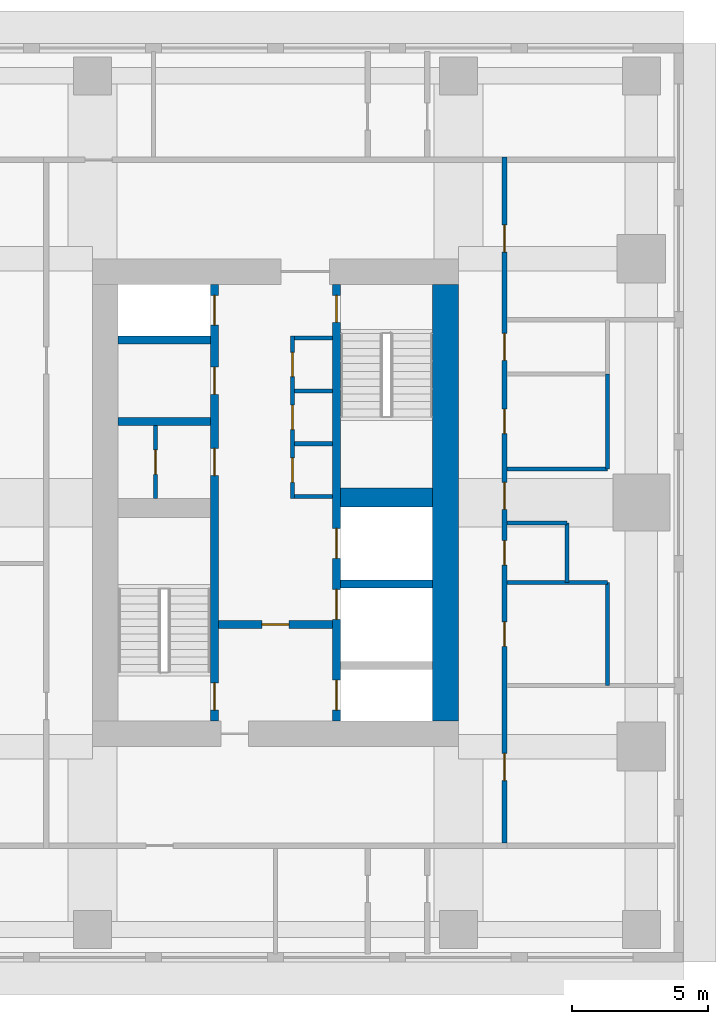
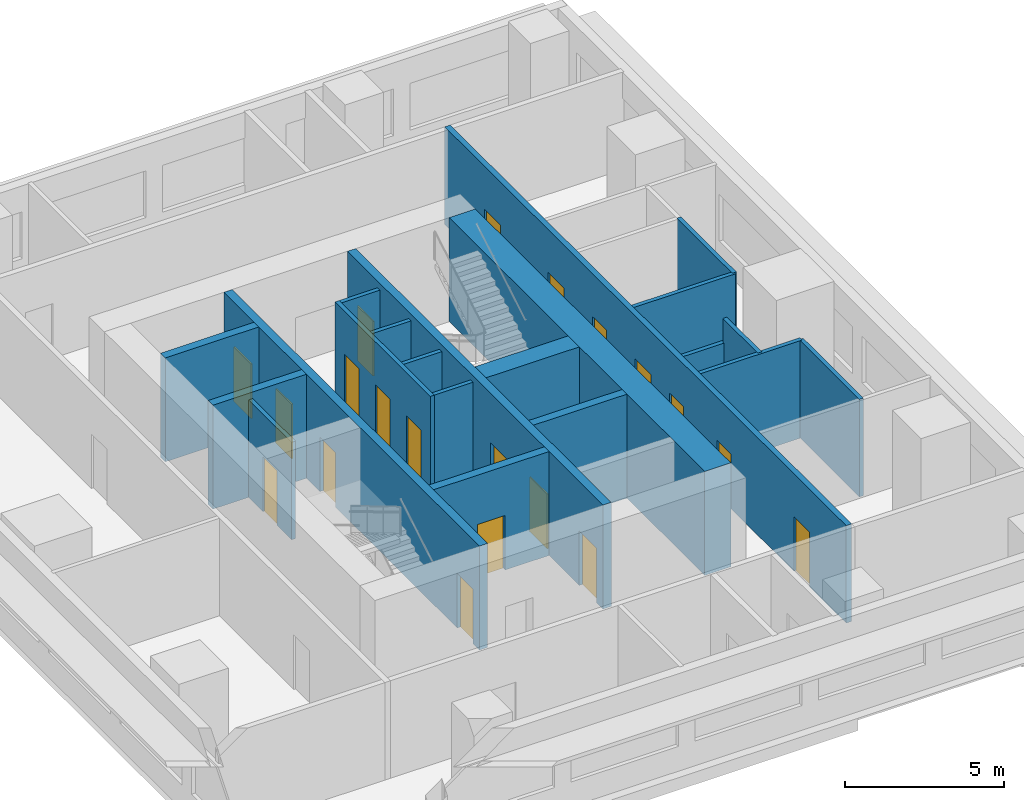
# One storey, part 7 of 11: 21 walls, 20 doors, 20 openings.
"""IFC4 building model written with IfcOpenShell, lengths in metres."""

from ifc_helpers import new_model, si_unit, direction, frame, frame_2d, origin, place, context, subcontext, project, spatial, rectangle, extrude, material, layer, layer_set, type_object, element, fill, save


model = new_model("IFC4")

# Units and contexts
model_context = context("Model", 3, precision=1e-05, world=origin(), true_north=direction((0.0, 1.0)))
body_context = subcontext(model_context, "Body", "Model", "MODEL_VIEW")
ifc_project = project(units=[si_unit("LENGTHUNIT", "METRE"), si_unit("AREAUNIT", "SQUARE_METRE"), si_unit("VOLUMEUNIT", "CUBIC_METRE"), si_unit("PLANEANGLEUNIT", "RADIAN"), si_unit("MASSUNIT", "GRAM", prefix="KILO")], contexts=[model_context])

# Site, building, storey
site_placement = place(None, origin())
site = spatial("IfcSite", under=ifc_project, at=site_placement, CompositionType="ELEMENT")
building_placement = place(site_placement, origin())
building = spatial("IfcBuilding", under=site, at=building_placement, Name="Namib Vertical Campus", CompositionType="ELEMENT")
storey_placement = place(building_placement, frame((0.0, 0.0, 197.0)))
storey = spatial("IfcBuildingStorey", under=building, at=storey_placement, Name="L46", CompositionType="ELEMENT", Elevation=197.0)

# Wall, openings, doors
ifc_material_1 = material(Name="Concrete C60/75", Category="concrete")
ifc_layer_1 = layer(ifc_material_1, 0.300048828125)
ifc_layer_set_1 = layer_set([ifc_layer_1], Name="Concrete C60/75")
wall_type_1 = type_object("IfcWallType", Name="Core inner wall 300", PredefinedType="SHEAR", material=ifc_layer_set_1)
wall_1_placement = place(storey_placement, frame((78.75, 12.199951171875, 0.0), z_axis=(0.0, 0.0, 1.0), x_axis=(0.0, 1.0, 0.0)))
wall_1 = element("IfcWall", 1, at=wall_1_placement, inside=storey, type_object=wall_type_1, Name="Core inner wall B L46 W1", PredefinedType="SHEAR", context=body_context, shape_type="SweptSolid", body=[
    extrude(rectangle(XDim=16.10009765625, YDim=0.300048828125, at=frame_2d((8.050048828125, 0.0))), origin(), (0.0, 0.0, 1.0), 4.0),
])
opening_1_placement = place(wall_1_placement, frame((0.39990234375, 0.0, 0.0)))
opening_1 = element("IfcOpeningElement", 2, at=opening_1_placement, cuts=wall_1, Name="Opening FD1", PredefinedType="OPENING", context=body_context, shape_type="SweptSolid", body=[
    extrude(rectangle(XDim=1.0, YDim=2.10009765625, at=frame_2d((0.5, 1.050048828125))), frame((0.0, 0.159912109375, 0.0), z_axis=(0.0, -1.0, 0.0), x_axis=(1.0, 0.0, 0.0)), (0.0, 0.0, 1.0), 0.320068359375),
])
opening_2_placement = place(wall_1_placement, frame((14.60009765625, 0.0, 0.0)))
opening_2 = element("IfcOpeningElement", 3, at=opening_2_placement, cuts=wall_1, Name="Opening LD1", PredefinedType="OPENING", context=body_context, shape_type="SweptSolid", body=[
    extrude(rectangle(XDim=1.10009765625, YDim=2.10009765625, at=frame_2d((0.550048828125, 1.050048828125))), frame((0.0, 0.159912109375, 0.0), z_axis=(0.0, -1.0, 0.0), x_axis=(1.0, 0.0, 0.0)), (0.0, 0.0, 1.0), 0.320068359375),
])
opening_3_placement = place(wall_1_placement, frame((9.050048828125, 0.0, 0.0)))
opening_3 = element("IfcOpeningElement", 4, at=opening_3_placement, cuts=wall_1, Name="Opening D1", PredefinedType="OPENING", context=body_context, shape_type="SweptSolid", body=[
    extrude(rectangle(XDim=1.0, YDim=2.10009765625, at=frame_2d((0.5, 1.050048828125))), frame((0.0, 0.159912109375, 0.0), z_axis=(0.0, -1.0, 0.0), x_axis=(1.0, 0.0, 0.0)), (0.0, 0.0, 1.0), 0.320068359375),
])
opening_4_placement = place(wall_1_placement, frame((12.050048828125, 0.0, 0.0)))
opening_4 = element("IfcOpeningElement", 5, at=opening_4_placement, cuts=wall_1, Name="Opening D1", PredefinedType="OPENING", context=body_context, shape_type="SweptSolid", body=[
    extrude(rectangle(XDim=1.0, YDim=2.10009765625, at=frame_2d((0.5, 1.050048828125))), frame((0.0, 0.159912109375, 0.0), z_axis=(0.0, -1.0, 0.0), x_axis=(1.0, 0.0, 0.0)), (0.0, 0.0, 1.0), 0.320068359375),
])
ifc_material_2 = material(Name="Timber door leaf", Category="wood")
door_type_1 = type_object("IfcDoorType", Name="Door single 1000x2100", OperationType="SINGLE_SWING_LEFT", PredefinedType="DOOR", material=ifc_material_2)
door_1_placement = place(opening_3_placement, origin())
door_1 = element("IfcDoor", 6, at=door_1_placement, inside=storey, type_object=door_type_1, Name="Door D1 Records store B L46 P1", OperationType="SINGLE_SWING_LEFT", OverallHeight=2.10009765625, OverallWidth=1.0, PredefinedType="DOOR", context=body_context, shape_type="SweptSolid", body=[
    extrude(rectangle(XDim=1.0, YDim=2.10009765625, at=frame_2d((0.5, 1.050048828125))), frame((0.0, 0.02490234375, 0.0), z_axis=(0.0, -1.0, 0.0), x_axis=(1.0, 0.0, 0.0)), (0.0, 0.0, 1.0), 0.050048828125),
])
fill(opening_3, door_1)
door_2_placement = place(opening_4_placement, origin())
door_2 = element("IfcDoor", 7, at=door_2_placement, inside=storey, type_object=door_type_1, Name="Door D1 Staff pantry B L46 P2", OperationType="SINGLE_SWING_LEFT", OverallHeight=2.10009765625, OverallWidth=1.0, PredefinedType="DOOR", context=body_context, shape_type="SweptSolid", body=[
    extrude(rectangle(XDim=1.0, YDim=2.10009765625, at=frame_2d((0.5, 1.050048828125))), frame((0.0, 0.02490234375, 0.0), z_axis=(0.0, -1.0, 0.0), x_axis=(1.0, 0.0, 0.0)), (0.0, 0.0, 1.0), 0.050048828125),
])
fill(opening_4, door_2)
ifc_material_3 = material(Name="Steel fire door", Category="steel")
door_type_2 = type_object("IfcDoorType", Name="Fire door 1000x2100", OperationType="SINGLE_SWING_RIGHT", PredefinedType="DOOR", material=ifc_material_3)
door_3_placement = place(opening_1_placement, origin())
door_3 = element("IfcDoor", 8, at=door_3_placement, inside=storey, type_object=door_type_2, Name="Stair door FD1 B L46 S1", OperationType="SINGLE_SWING_LEFT", OverallHeight=2.10009765625, OverallWidth=1.0, PredefinedType="DOOR", context=body_context, shape_type="SweptSolid", body=[
    extrude(rectangle(XDim=1.0, YDim=2.10009765625, at=frame_2d((0.5, 1.050048828125))), frame((0.0, 0.02490234375, 0.0), z_axis=(0.0, -1.0, 0.0), x_axis=(1.0, 0.0, 0.0)), (0.0, 0.0, 1.0), 0.050048828125),
])
fill(opening_1, door_3)
ifc_material_4 = material(Name="Stainless steel lift door", Category="steel")
door_type_3 = type_object("IfcDoorType", Name="Lift landing door 1100x2100", OperationType="DOUBLE_DOOR_SLIDING", PredefinedType="DOOR", material=ifc_material_4)
door_4_placement = place(opening_2_placement, origin())
door_4 = element("IfcDoor", 9, at=door_4_placement, inside=storey, type_object=door_type_3, Name="Lift landing door LD1 B-P3 L46", OperationType="DOUBLE_DOOR_SLIDING", OverallHeight=2.10009765625, OverallWidth=1.10009765625, PredefinedType="DOOR", context=body_context, shape_type="SweptSolid", body=[
    extrude(rectangle(XDim=1.10009765625, YDim=2.10009765625, at=frame_2d((0.550048828125, 1.050048828125))), frame((0.0, 0.02490234375, 0.0), z_axis=(0.0, -1.0, 0.0), x_axis=(1.0, 0.0, 0.0)), (0.0, 0.0, 1.0), 0.050048828125),
])
fill(opening_2, door_4)

wall_2_placement = place(storey_placement, frame((83.25, 12.199951171875, 0.0), z_axis=(0.0, 0.0, 1.0), x_axis=(0.0, 1.0, 0.0)))
wall_2 = element("IfcWall", 10, at=wall_2_placement, inside=storey, type_object=wall_type_1, Name="Core inner wall B L46 W2", PredefinedType="SHEAR", context=body_context, shape_type="SweptSolid", body=[
    extrude(rectangle(XDim=16.10009765625, YDim=0.300048828125, at=frame_2d((8.050048828125, 0.0))), origin(), (0.0, 0.0, 1.0), 4.0),
])
opening_5_placement = place(wall_2_placement, frame((14.699951171875, 0.0, 0.0)))
opening_5 = element("IfcOpeningElement", 11, at=opening_5_placement, cuts=wall_2, Name="Opening FD1", PredefinedType="OPENING", context=body_context, shape_type="SweptSolid", body=[
    extrude(rectangle(XDim=1.0, YDim=2.10009765625, at=frame_2d((0.5, 1.050048828125))), frame((0.0, 0.159912109375, 0.0), z_axis=(0.0, -1.0, 0.0), x_axis=(1.0, 0.0, 0.0)), (0.0, 0.0, 1.0), 0.320068359375),
])
opening_6_placement = place(wall_2_placement, frame((0.39990234375, 0.0, 0.0)))
opening_6 = element("IfcOpeningElement", 12, at=opening_6_placement, cuts=wall_2, Name="Opening LD1", PredefinedType="OPENING", context=body_context, shape_type="SweptSolid", body=[
    extrude(rectangle(XDim=1.10009765625, YDim=2.10009765625, at=frame_2d((0.550048828125, 1.050048828125))), frame((0.0, 0.159912109375, 0.0), z_axis=(0.0, -1.0, 0.0), x_axis=(1.0, 0.0, 0.0)), (0.0, 0.0, 1.0), 0.320068359375),
])
opening_7_placement = place(wall_2_placement, frame((3.75, 0.0, 0.0)))
opening_7 = element("IfcOpeningElement", 13, at=opening_7_placement, cuts=wall_2, Name="Opening LD1", PredefinedType="OPENING", context=body_context, shape_type="SweptSolid", body=[
    extrude(rectangle(XDim=1.10009765625, YDim=2.10009765625, at=frame_2d((0.550048828125, 1.050048828125))), frame((0.0, 0.159912109375, 0.0), z_axis=(0.0, -1.0, 0.0), x_axis=(1.0, 0.0, 0.0)), (0.0, 0.0, 1.0), 0.320068359375),
])
opening_8_placement = place(wall_2_placement, frame((6.0, 0.0, 0.0)))
opening_8 = element("IfcOpeningElement", 14, at=opening_8_placement, cuts=wall_2, Name="Opening LD1", PredefinedType="OPENING", context=body_context, shape_type="SweptSolid", body=[
    extrude(rectangle(XDim=1.10009765625, YDim=2.10009765625, at=frame_2d((0.550048828125, 1.050048828125))), frame((0.0, 0.159912109375, 0.0), z_axis=(0.0, -1.0, 0.0), x_axis=(1.0, 0.0, 0.0)), (0.0, 0.0, 1.0), 0.320068359375),
])
door_5_placement = place(opening_5_placement, frame((1.0, 0.0, 0.0), z_axis=(0.0, 0.0, 1.0), x_axis=(-1.0, 0.0, 0.0)))
door_5 = element("IfcDoor", 15, at=door_5_placement, inside=storey, type_object=door_type_2, Name="Stair door FD1 B L46 S2", OperationType="SINGLE_SWING_LEFT", OverallHeight=2.10009765625, OverallWidth=1.0, PredefinedType="DOOR", context=body_context, shape_type="SweptSolid", body=[
    extrude(rectangle(XDim=1.0, YDim=2.10009765625, at=frame_2d((0.5, 1.050048828125))), frame((0.0, 0.02490234375, 0.0), z_axis=(0.0, -1.0, 0.0), x_axis=(1.0, 0.0, 0.0)), (0.0, 0.0, 1.0), 0.050048828125),
])
fill(opening_5, door_5)
door_6_placement = place(opening_6_placement, origin())
door_6 = element("IfcDoor", 16, at=door_6_placement, inside=storey, type_object=door_type_3, Name="Lift landing door LD1 B-FL1 L46", OperationType="DOUBLE_DOOR_SLIDING", OverallHeight=2.10009765625, OverallWidth=1.10009765625, PredefinedType="DOOR", context=body_context, shape_type="SweptSolid", body=[
    extrude(rectangle(XDim=1.10009765625, YDim=2.10009765625, at=frame_2d((0.550048828125, 1.050048828125))), frame((0.0, 0.02490234375, 0.0), z_axis=(0.0, -1.0, 0.0), x_axis=(1.0, 0.0, 0.0)), (0.0, 0.0, 1.0), 0.050048828125),
])
fill(opening_6, door_6)
door_7_placement = place(opening_7_placement, origin())
door_7 = element("IfcDoor", 17, at=door_7_placement, inside=storey, type_object=door_type_3, Name="Lift landing door LD1 B-P4 L46", OperationType="DOUBLE_DOOR_SLIDING", OverallHeight=2.10009765625, OverallWidth=1.10009765625, PredefinedType="DOOR", context=body_context, shape_type="SweptSolid", body=[
    extrude(rectangle(XDim=1.10009765625, YDim=2.10009765625, at=frame_2d((0.550048828125, 1.050048828125))), frame((0.0, 0.02490234375, 0.0), z_axis=(0.0, -1.0, 0.0), x_axis=(1.0, 0.0, 0.0)), (0.0, 0.0, 1.0), 0.050048828125),
])
fill(opening_7, door_7)
door_8_placement = place(opening_8_placement, origin())
door_8 = element("IfcDoor", 18, at=door_8_placement, inside=storey, type_object=door_type_3, Name="Lift landing door LD1 B-P5 L46", OperationType="DOUBLE_DOOR_SLIDING", OverallHeight=2.10009765625, OverallWidth=1.10009765625, PredefinedType="DOOR", context=body_context, shape_type="SweptSolid", body=[
    extrude(rectangle(XDim=1.10009765625, YDim=2.10009765625, at=frame_2d((0.550048828125, 1.050048828125))), frame((0.0, 0.02490234375, 0.0), z_axis=(0.0, -1.0, 0.0), x_axis=(1.0, 0.0, 0.0)), (0.0, 0.0, 1.0), 0.050048828125),
])
fill(opening_8, door_8)

# Wall, opening, door
wall_3_placement = place(storey_placement, frame((78.89990234375, 15.75, 0.0), z_axis=(0.0, 0.0, 1.0), x_axis=(1.0, 0.0, 0.0)))
wall_3 = element("IfcWall", 19, at=wall_3_placement, inside=storey, type_object=wall_type_1, Name="Core inner wall B L46 W4", PredefinedType="SHEAR", context=body_context, shape_type="SweptSolid", body=[
    extrude(rectangle(XDim=4.2001953125, YDim=0.300048828125, at=frame_2d((2.10009765625, 0.0))), origin(), (0.0, 0.0, 1.0), 4.0),
])
opening_9_placement = place(wall_3_placement, frame((1.60009765625, 0.0, 0.0)))
opening_9 = element("IfcOpeningElement", 20, at=opening_9_placement, cuts=wall_3, Name="Opening FD5", PredefinedType="OPENING", context=body_context, shape_type="SweptSolid", body=[
    extrude(rectangle(XDim=1.0, YDim=2.10009765625, at=frame_2d((0.5, 1.050048828125))), frame((0.0, 0.159912109375, 0.0), z_axis=(0.0, -1.0, 0.0), x_axis=(1.0, 0.0, 0.0)), (0.0, 0.0, 1.0), 0.320068359375),
])
ifc_material_5 = material(Name="Steel fire door", Category="steel")
door_type_4 = type_object("IfcDoorType", Name="Fire door 1000x2100 120 min", OperationType="SINGLE_SWING_RIGHT", PredefinedType="DOOR", material=ifc_material_5)
door_9_placement = place(opening_9_placement, frame((1.0, 0.0, 0.0), z_axis=(0.0, 0.0, 1.0), x_axis=(-1.0, 0.0, 0.0)))
door_9 = element("IfcDoor", 21, at=door_9_placement, inside=storey, type_object=door_type_4, Name="Lobby door FD5 B L46", OperationType="SINGLE_SWING_RIGHT", OverallHeight=2.10009765625, OverallWidth=1.0, PredefinedType="DOOR", context=body_context, shape_type="SweptSolid", body=[
    extrude(rectangle(XDim=1.0, YDim=2.10009765625, at=frame_2d((0.5, 1.050048828125))), frame((0.0, 0.02490234375, 0.0), z_axis=(0.0, -1.0, 0.0), x_axis=(1.0, 0.0, 0.0)), (0.0, 0.0, 1.0), 0.050048828125),
])
fill(opening_9, door_9)

# Walls
for number, where, z_axis, x_axis, name in (
    (22, (83.39990234375, 17.25, 0.0), (0.0, 0.0, 1.0), (1.0, 0.0, 0.0), "Core inner wall B L46 W6"),
    (23, (75.199951171875, 23.25, 0.0), (0.0, 0.0, 1.0), (1.0, 0.0, 0.0), "Core inner wall B L46 W8"),
    (24, (75.199951171875, 26.25, 0.0), (0.0, 0.0, 1.0), (1.0, 0.0, 0.0), "Core inner wall B L46 W9"),
):
    element("IfcWall", number, at=place(storey_placement, frame(where, z_axis=z_axis, x_axis=x_axis)), inside=storey, type_object=wall_type_1, Name=name, PredefinedType="SHEAR", context=body_context, shape_type="SweptSolid", body=[
        extrude(rectangle(XDim=3.400146484375, YDim=0.300048828125, at=frame_2d((1.7001953125, 0.0))), origin(), (0.0, 0.0, 1.0), 4.0),
    ])
ifc_material_6 = material(Name="Concrete C60/75", Category="concrete")
ifc_layer_2 = layer(ifc_material_6, 0.699951171875)
ifc_layer_set_2 = layer_set([ifc_layer_2], Name="Concrete C60/75")
wall_type_2 = type_object("IfcWallType", Name="Core shear wall 700", PredefinedType="SHEAR", material=ifc_layer_set_2)
wall_4_placement = place(storey_placement, frame((83.39990234375, 20.449951171875, 0.0), z_axis=(0.0, 0.0, 1.0), x_axis=(1.0, 0.0, 0.0)))
element("IfcWall", 25, at=wall_4_placement, inside=storey, type_object=wall_type_2, Name="Core shear wall B L46 W7", PredefinedType="SHEAR", context=body_context, shape_type="SweptSolid", body=[
    extrude(rectangle(XDim=3.400146484375, YDim=0.699951171875, at=frame_2d((1.7001953125, 0.0))), origin(), (0.0, 0.0, 1.0), 4.0),
])
ifc_material_7 = material(Name="Concrete C60/75", Category="concrete")
ifc_layer_3 = layer(ifc_material_7, 0.949951171875)
ifc_layer_set_3 = layer_set([ifc_layer_3], Name="Concrete C60/75")
wall_type_3 = type_object("IfcWallType", Name="Core wall 950", PredefinedType="SHEAR", material=ifc_layer_set_3)
wall_5_placement = place(storey_placement, frame((87.27490234375, 12.199951171875, 0.0), z_axis=(0.0, 0.0, 1.0), x_axis=(0.0, 1.0, 0.0)))
element("IfcWall", 26, at=wall_5_placement, inside=storey, type_object=wall_type_3, Name="Core wall B L46 2", PredefinedType="SHEAR", context=body_context, shape_type="SweptSolid", body=[
    extrude(rectangle(XDim=16.10009765625, YDim=0.949951171875, at=frame_2d((8.050048828125, 0.0))), origin(), (0.0, 0.0, 1.0), 4.0),
])

# Wall, openings, doors
ifc_material_8 = material(Name="Concrete masonry", Category="masonry")
ifc_layer_4 = layer(ifc_material_8, 0.199951171875)
ifc_layer_set_4 = layer_set([ifc_layer_4], Name="Corridor wall 200")
wall_type_4 = type_object("IfcWallType", Name="Corridor wall 200", PredefinedType="SOLIDWALL", material=ifc_layer_set_4)
wall_6_placement = place(storey_placement, frame((89.449951171875, 7.699951171875, 0.0), z_axis=(0.0, 0.0, 1.0), x_axis=(0.0, 1.0, 0.0)))
wall_6 = element("IfcWall", 27, at=wall_6_placement, inside=storey, type_object=wall_type_4, Name="Corridor wall B L46 CE", PredefinedType="SOLIDWALL", context=body_context, shape_type="SweptSolid", body=[
    extrude(rectangle(XDim=25.300048828125, YDim=0.199951171875, at=frame_2d((12.64990234375, 0.0))), origin(), (0.0, 0.0, 1.0), 3.75),
])
opening_10_placement = place(wall_6_placement, frame((2.300048828125, 0.0, 0.0)))
opening_10 = element("IfcOpeningElement", 28, at=opening_10_placement, cuts=wall_6, Name="Opening CD1", PredefinedType="OPENING", context=body_context, shape_type="SweptSolid", body=[
    extrude(rectangle(XDim=1.0, YDim=2.10009765625, at=frame_2d((0.5, 1.050048828125))), frame((0.0, 0.10986328125, 0.0), z_axis=(0.0, -1.0, 0.0), x_axis=(1.0, 0.0, 0.0)), (0.0, 0.0, 1.0), 0.219970703125),
])
opening_11_placement = place(wall_6_placement, frame((7.25, 0.0, 0.0)))
opening_11 = element("IfcOpeningElement", 29, at=opening_11_placement, cuts=wall_6, Name="Opening CD3", PredefinedType="OPENING", context=body_context, shape_type="SweptSolid", body=[
    extrude(rectangle(XDim=0.89990234375, YDim=2.10009765625, at=frame_2d((0.449951171875, 1.050048828125))), frame((0.0, 0.10986328125, 0.0), z_axis=(0.0, -1.0, 0.0), x_axis=(1.0, 0.0, 0.0)), (0.0, 0.0, 1.0), 0.219970703125),
])
opening_12_placement = place(wall_6_placement, frame((10.25, 0.0, 0.0)))
opening_12 = element("IfcOpeningElement", 30, at=opening_12_placement, cuts=wall_6, Name="Opening CD3", PredefinedType="OPENING", context=body_context, shape_type="SweptSolid", body=[
    extrude(rectangle(XDim=0.89990234375, YDim=2.10009765625, at=frame_2d((0.449951171875, 1.050048828125))), frame((0.0, 0.10986328125, 0.0), z_axis=(0.0, -1.0, 0.0), x_axis=(1.0, 0.0, 0.0)), (0.0, 0.0, 1.0), 0.219970703125),
])
opening_13_placement = place(wall_6_placement, frame((15.10009765625, 0.0, 0.0)))
opening_13 = element("IfcOpeningElement", 31, at=opening_13_placement, cuts=wall_6, Name="Opening CD3", PredefinedType="OPENING", context=body_context, shape_type="SweptSolid", body=[
    extrude(rectangle(XDim=0.89990234375, YDim=2.10009765625, at=frame_2d((0.449951171875, 1.050048828125))), frame((0.0, 0.10986328125, 0.0), z_axis=(0.0, -1.0, 0.0), x_axis=(1.0, 0.0, 0.0)), (0.0, 0.0, 1.0), 0.219970703125),
])
opening_14_placement = place(wall_6_placement, frame((17.800048828125, 0.0, 0.0)))
opening_14 = element("IfcOpeningElement", 32, at=opening_14_placement, cuts=wall_6, Name="Opening CD1", PredefinedType="OPENING", context=body_context, shape_type="SweptSolid", body=[
    extrude(rectangle(XDim=1.0, YDim=2.10009765625, at=frame_2d((0.5, 1.050048828125))), frame((0.0, 0.10986328125, 0.0), z_axis=(0.0, -1.0, 0.0), x_axis=(1.0, 0.0, 0.0)), (0.0, 0.0, 1.0), 0.219970703125),
])
opening_15_placement = place(wall_6_placement, frame((12.300048828125, 0.0, 0.0)))
opening_15 = element("IfcOpeningElement", 33, at=opening_15_placement, cuts=wall_6, Name="Opening CD1", PredefinedType="OPENING", context=body_context, shape_type="SweptSolid", body=[
    extrude(rectangle(XDim=1.0, YDim=2.10009765625, at=frame_2d((0.5, 1.050048828125))), frame((0.0, 0.10986328125, 0.0), z_axis=(0.0, -1.0, 0.0), x_axis=(1.0, 0.0, 0.0)), (0.0, 0.0, 1.0), 0.219970703125),
])
opening_16_placement = place(wall_6_placement, frame((21.800048828125, 0.0, 0.0)))
opening_16 = element("IfcOpeningElement", 34, at=opening_16_placement, cuts=wall_6, Name="Opening CD1", PredefinedType="OPENING", context=body_context, shape_type="SweptSolid", body=[
    extrude(rectangle(XDim=1.0, YDim=2.10009765625, at=frame_2d((0.5, 1.050048828125))), frame((0.0, 0.10986328125, 0.0), z_axis=(0.0, -1.0, 0.0), x_axis=(1.0, 0.0, 0.0)), (0.0, 0.0, 1.0), 0.219970703125),
])
ifc_material_9 = material(Name="Timber fire door leaf", Category="wood")
door_type_5 = type_object("IfcDoorType", Name="Corridor door 1000x2100 20 min", OperationType="SINGLE_SWING_LEFT", PredefinedType="DOOR", material=ifc_material_9)
door_10_placement = place(opening_10_placement, frame((1.0, 0.0, 0.0), z_axis=(0.0, 0.0, 1.0), x_axis=(-1.0, 0.0, 0.0)))
door_10 = element("IfcDoor", 35, at=door_10_placement, inside=storey, type_object=door_type_5, Name="Door CD1 B46-04", OperationType="SINGLE_SWING_RIGHT", OverallHeight=2.10009765625, OverallWidth=1.0, PredefinedType="DOOR", context=body_context, shape_type="SweptSolid", body=[
    extrude(rectangle(XDim=1.0, YDim=2.10009765625, at=frame_2d((0.5, 1.050048828125))), frame((0.0, 0.02490234375, 0.0), z_axis=(0.0, -1.0, 0.0), x_axis=(1.0, 0.0, 0.0)), (0.0, 0.0, 1.0), 0.050048828125),
])
fill(opening_10, door_10)
door_11_placement = place(opening_14_placement, frame((1.0, 0.0, 0.0), z_axis=(0.0, 0.0, 1.0), x_axis=(-1.0, 0.0, 0.0)))
door_11 = element("IfcDoor", 36, at=door_11_placement, inside=storey, type_object=door_type_5, Name="Door CD1 B46-08", OperationType="SINGLE_SWING_RIGHT", OverallHeight=2.10009765625, OverallWidth=1.0, PredefinedType="DOOR", context=body_context, shape_type="SweptSolid", body=[
    extrude(rectangle(XDim=1.0, YDim=2.10009765625, at=frame_2d((0.5, 1.050048828125))), frame((0.0, 0.02490234375, 0.0), z_axis=(0.0, -1.0, 0.0), x_axis=(1.0, 0.0, 0.0)), (0.0, 0.0, 1.0), 0.050048828125),
])
fill(opening_14, door_11)
door_12_placement = place(opening_15_placement, frame((1.0, 0.0, 0.0), z_axis=(0.0, 0.0, 1.0), x_axis=(-1.0, 0.0, 0.0)))
door_12 = element("IfcDoor", 37, at=door_12_placement, inside=storey, type_object=door_type_5, Name="Door CD1 B46-09", OperationType="SINGLE_SWING_RIGHT", OverallHeight=2.10009765625, OverallWidth=1.0, PredefinedType="DOOR", context=body_context, shape_type="SweptSolid", body=[
    extrude(rectangle(XDim=1.0, YDim=2.10009765625, at=frame_2d((0.5, 1.050048828125))), frame((0.0, 0.02490234375, 0.0), z_axis=(0.0, -1.0, 0.0), x_axis=(1.0, 0.0, 0.0)), (0.0, 0.0, 1.0), 0.050048828125),
])
fill(opening_15, door_12)
door_13_placement = place(opening_16_placement, frame((1.0, 0.0, 0.0), z_axis=(0.0, 0.0, 1.0), x_axis=(-1.0, 0.0, 0.0)))
door_13 = element("IfcDoor", 38, at=door_13_placement, inside=storey, type_object=door_type_5, Name="Door CD1 B46-10", OperationType="SINGLE_SWING_RIGHT", OverallHeight=2.10009765625, OverallWidth=1.0, PredefinedType="DOOR", context=body_context, shape_type="SweptSolid", body=[
    extrude(rectangle(XDim=1.0, YDim=2.10009765625, at=frame_2d((0.5, 1.050048828125))), frame((0.0, 0.02490234375, 0.0), z_axis=(0.0, -1.0, 0.0), x_axis=(1.0, 0.0, 0.0)), (0.0, 0.0, 1.0), 0.050048828125),
])
fill(opening_16, door_13)
ifc_material_10 = material(Name="Timber fire door leaf", Category="wood")
door_type_6 = type_object("IfcDoorType", Name="Corridor toilet door 900x2100 20 min", OperationType="SINGLE_SWING_LEFT", PredefinedType="DOOR", material=ifc_material_10)
door_14_placement = place(opening_11_placement, frame((0.89990234375, 0.0, 0.0), z_axis=(0.0, 0.0, 1.0), x_axis=(-1.0, 0.0, 0.0)))
door_14 = element("IfcDoor", 39, at=door_14_placement, inside=storey, type_object=door_type_6, Name="Door CD3 B46-05", OperationType="SINGLE_SWING_RIGHT", OverallHeight=2.10009765625, OverallWidth=0.89990234375, PredefinedType="DOOR", context=body_context, shape_type="SweptSolid", body=[
    extrude(rectangle(XDim=0.89990234375, YDim=2.10009765625, at=frame_2d((0.449951171875, 1.050048828125))), frame((0.0, 0.02490234375, 0.0), z_axis=(0.0, -1.0, 0.0), x_axis=(1.0, 0.0, 0.0)), (0.0, 0.0, 1.0), 0.050048828125),
])
fill(opening_11, door_14)
door_15_placement = place(opening_12_placement, frame((0.89990234375, 0.0, 0.0), z_axis=(0.0, 0.0, 1.0), x_axis=(-1.0, 0.0, 0.0)))
door_15 = element("IfcDoor", 40, at=door_15_placement, inside=storey, type_object=door_type_6, Name="Door CD3 B46-06", OperationType="SINGLE_SWING_RIGHT", OverallHeight=2.10009765625, OverallWidth=0.89990234375, PredefinedType="DOOR", context=body_context, shape_type="SweptSolid", body=[
    extrude(rectangle(XDim=0.89990234375, YDim=2.10009765625, at=frame_2d((0.449951171875, 1.050048828125))), frame((0.0, 0.02490234375, 0.0), z_axis=(0.0, -1.0, 0.0), x_axis=(1.0, 0.0, 0.0)), (0.0, 0.0, 1.0), 0.050048828125),
])
fill(opening_12, door_15)
door_16_placement = place(opening_13_placement, frame((0.89990234375, 0.0, 0.0), z_axis=(0.0, 0.0, 1.0), x_axis=(-1.0, 0.0, 0.0)))
door_16 = element("IfcDoor", 41, at=door_16_placement, inside=storey, type_object=door_type_6, Name="Door CD3 B46-07", OperationType="SINGLE_SWING_RIGHT", OverallHeight=2.10009765625, OverallWidth=0.89990234375, PredefinedType="DOOR", context=body_context, shape_type="SweptSolid", body=[
    extrude(rectangle(XDim=0.89990234375, YDim=2.10009765625, at=frame_2d((0.449951171875, 1.050048828125))), frame((0.0, 0.02490234375, 0.0), z_axis=(0.0, -1.0, 0.0), x_axis=(1.0, 0.0, 0.0)), (0.0, 0.0, 1.0), 0.050048828125),
])
fill(opening_13, door_16)

ifc_material_11 = material(Name="Gypsum board on steel studs", Category="steel")
ifc_layer_5 = layer(ifc_material_11, 0.14990234375)
ifc_layer_set_5 = layer_set([ifc_layer_5], Name="Gypsum board on steel studs")
wall_type_5 = type_object("IfcWallType", Name="Partition 150", PredefinedType="PARTITIONING", material=ifc_layer_set_5)
wall_7_placement = place(storey_placement, frame((81.625, 20.39990234375, 0.0), z_axis=(0.0, 0.0, 1.0), x_axis=(0.0, 1.0, 0.0)))
wall_7 = element("IfcWall", 42, at=wall_7_placement, inside=storey, type_object=wall_type_5, Name="Partition B L46 Records store and Cleaners' store and Linen store front", PredefinedType="PARTITIONING", context=body_context, shape_type="SweptSolid", body=[
    extrude(rectangle(XDim=6.0, YDim=0.14990234375, at=frame_2d((3.0, 0.0))), origin(), (0.0, 0.0, 1.0), 3.75),
])
opening_17_placement = place(wall_7_placement, frame((0.60009765625, 0.0, 0.0)))
opening_17 = element("IfcOpeningElement", 43, at=opening_17_placement, cuts=wall_7, Name="Opening D3", PredefinedType="OPENING", context=body_context, shape_type="SweptSolid", body=[
    extrude(rectangle(XDim=0.89990234375, YDim=2.10009765625, at=frame_2d((0.449951171875, 1.050048828125))), frame((0.0, 0.0849609375, 0.0), z_axis=(0.0, -1.0, 0.0), x_axis=(1.0, 0.0, 0.0)), (0.0, 0.0, 1.0), 0.169921875),
])
opening_18_placement = place(wall_7_placement, frame((2.550048828125, 0.0, 0.0)))
opening_18 = element("IfcOpeningElement", 44, at=opening_18_placement, cuts=wall_7, Name="Opening D3", PredefinedType="OPENING", context=body_context, shape_type="SweptSolid", body=[
    extrude(rectangle(XDim=0.89990234375, YDim=2.10009765625, at=frame_2d((0.449951171875, 1.050048828125))), frame((0.0, 0.0849609375, 0.0), z_axis=(0.0, -1.0, 0.0), x_axis=(1.0, 0.0, 0.0)), (0.0, 0.0, 1.0), 0.169921875),
])
opening_19_placement = place(wall_7_placement, frame((4.5, 0.0, 0.0)))
opening_19 = element("IfcOpeningElement", 45, at=opening_19_placement, cuts=wall_7, Name="Opening D3", PredefinedType="OPENING", context=body_context, shape_type="SweptSolid", body=[
    extrude(rectangle(XDim=0.89990234375, YDim=2.10009765625, at=frame_2d((0.449951171875, 1.050048828125))), frame((0.0, 0.0849609375, 0.0), z_axis=(0.0, -1.0, 0.0), x_axis=(1.0, 0.0, 0.0)), (0.0, 0.0, 1.0), 0.169921875),
])
ifc_material_12 = material(Name="Timber door leaf", Category="wood")
door_type_7 = type_object("IfcDoorType", Name="Toilet door 900x2100", OperationType="SINGLE_SWING_LEFT", PredefinedType="DOOR", material=ifc_material_12)
door_17_placement = place(opening_17_placement, frame((0.89990234375, 0.0, 0.0), z_axis=(0.0, 0.0, 1.0), x_axis=(-1.0, 0.0, 0.0)))
door_17 = element("IfcDoor", 46, at=door_17_placement, inside=storey, type_object=door_type_7, Name="Door D3 Records store B L46", OperationType="SINGLE_SWING_RIGHT", OverallHeight=2.10009765625, OverallWidth=0.89990234375, PredefinedType="DOOR", context=body_context, shape_type="SweptSolid", body=[
    extrude(rectangle(XDim=0.89990234375, YDim=2.10009765625, at=frame_2d((0.449951171875, 1.050048828125))), frame((0.0, 0.02490234375, 0.0), z_axis=(0.0, -1.0, 0.0), x_axis=(1.0, 0.0, 0.0)), (0.0, 0.0, 1.0), 0.050048828125),
])
fill(opening_17, door_17)
door_18_placement = place(opening_18_placement, frame((0.89990234375, 0.0, 0.0), z_axis=(0.0, 0.0, 1.0), x_axis=(-1.0, 0.0, 0.0)))
door_18 = element("IfcDoor", 47, at=door_18_placement, inside=storey, type_object=door_type_7, Name="Door D3 Cleaners' store B L46", OperationType="SINGLE_SWING_RIGHT", OverallHeight=2.10009765625, OverallWidth=0.89990234375, PredefinedType="DOOR", context=body_context, shape_type="SweptSolid", body=[
    extrude(rectangle(XDim=0.89990234375, YDim=2.10009765625, at=frame_2d((0.449951171875, 1.050048828125))), frame((0.0, 0.02490234375, 0.0), z_axis=(0.0, -1.0, 0.0), x_axis=(1.0, 0.0, 0.0)), (0.0, 0.0, 1.0), 0.050048828125),
])
fill(opening_18, door_18)
door_19_placement = place(opening_19_placement, frame((0.89990234375, 0.0, 0.0), z_axis=(0.0, 0.0, 1.0), x_axis=(-1.0, 0.0, 0.0)))
door_19 = element("IfcDoor", 48, at=door_19_placement, inside=storey, type_object=door_type_7, Name="Door D3 Linen store B L46", OperationType="SINGLE_SWING_RIGHT", OverallHeight=2.10009765625, OverallWidth=0.89990234375, PredefinedType="DOOR", context=body_context, shape_type="SweptSolid", body=[
    extrude(rectangle(XDim=0.89990234375, YDim=2.10009765625, at=frame_2d((0.449951171875, 1.050048828125))), frame((0.0, 0.02490234375, 0.0), z_axis=(0.0, -1.0, 0.0), x_axis=(1.0, 0.0, 0.0)), (0.0, 0.0, 1.0), 0.050048828125),
])
fill(opening_19, door_19)

# Walls
for number, where, z_axis, x_axis, name in (
    (49, (81.699951171875, 20.47509765625, 0.0), (0.0, 0.0, 1.0), (1.0, 0.0, 0.0), "Partition B L46 Records store and Cleaners' store and Linen store end 1"),
    (50, (81.699951171875, 22.425048828125, 0.0), (0.0, 0.0, 1.0), (1.0, 0.0, 0.0), "Partition B L46 Records store and Cleaners' store and Linen store division 2"),
    (51, (81.699951171875, 24.375, 0.0), (0.0, 0.0, 1.0), (1.0, 0.0, 0.0), "Partition B L46 Records store and Cleaners' store and Linen store division 3"),
    (52, (81.699951171875, 26.324951171875, 0.0), (0.0, 0.0, 1.0), (1.0, 0.0, 0.0), "Partition B L46 Records store and Cleaners' store and Linen store end 4"),
):
    element("IfcWall", number, at=place(storey_placement, frame(where, z_axis=z_axis, x_axis=x_axis)), inside=storey, type_object=wall_type_5, Name=name, PredefinedType="PARTITIONING", context=body_context, shape_type="SweptSolid", body=[
        extrude(rectangle(XDim=1.400146484375, YDim=0.14990234375, at=frame_2d((0.7001953125, 0.0))), origin(), (0.0, 0.0, 1.0), 3.75),
    ])

# Wall, opening, door
wall_8_placement = place(storey_placement, frame((76.574951171875, 20.39990234375, 0.0), z_axis=(0.0, 0.0, 1.0), x_axis=(0.0, 1.0, 0.0)))
wall_8 = element("IfcWall", 53, at=wall_8_placement, inside=storey, type_object=wall_type_5, Name="Partition B L46 Records store P1 back", PredefinedType="PARTITIONING", context=body_context, shape_type="SweptSolid", body=[
    extrude(rectangle(XDim=2.7001953125, YDim=0.14990234375, at=frame_2d((1.35009765625, 0.0))), origin(), (0.0, 0.0, 1.0), 3.75),
])
opening_20_placement = place(wall_8_placement, frame((0.89990234375, 0.0, 0.0)))
opening_20 = element("IfcOpeningElement", 54, at=opening_20_placement, cuts=wall_8, Name="Opening D3", PredefinedType="OPENING", context=body_context, shape_type="SweptSolid", body=[
    extrude(rectangle(XDim=0.89990234375, YDim=2.10009765625, at=frame_2d((0.449951171875, 1.050048828125))), frame((0.0, 0.0849609375, 0.0), z_axis=(0.0, -1.0, 0.0), x_axis=(1.0, 0.0, 0.0)), (0.0, 0.0, 1.0), 0.169921875),
])
door_20_placement = place(opening_20_placement, origin())
door_20 = element("IfcDoor", 55, at=door_20_placement, inside=storey, type_object=door_type_7, Name="Door D3 Store B L46 P1", OperationType="SINGLE_SWING_LEFT", OverallHeight=2.10009765625, OverallWidth=0.89990234375, PredefinedType="DOOR", context=body_context, shape_type="SweptSolid", body=[
    extrude(rectangle(XDim=0.89990234375, YDim=2.10009765625, at=frame_2d((0.449951171875, 1.050048828125))), frame((0.0, 0.02490234375, 0.0), z_axis=(0.0, -1.0, 0.0), x_axis=(1.0, 0.0, 0.0)), (0.0, 0.0, 1.0), 0.050048828125),
])
fill(opening_20, door_20)

# Walls
wall_9_placement = place(storey_placement, frame((89.550048828125, 17.300048828125, 0.0), z_axis=(0.0, 0.0, 1.0), x_axis=(1.0, 0.0, 0.0)))
element("IfcWall", 56, at=wall_9_placement, inside=storey, type_object=wall_type_5, Name="Partition B L46 WR1", PredefinedType="PARTITIONING", context=body_context, shape_type="SweptSolid", body=[
    extrude(rectangle(XDim=3.699951171875, YDim=0.14990234375, at=frame_2d((1.85009765625, 0.0))), origin(), (0.0, 0.0, 1.0), 3.75),
])
wall_10_placement = place(storey_placement, frame((89.550048828125, 19.5, 0.0), z_axis=(0.0, 0.0, 1.0), x_axis=(1.0, 0.0, 0.0)))
element("IfcWall", 57, at=wall_10_placement, inside=storey, type_object=wall_type_5, Name="Partition B L46 WR2", PredefinedType="PARTITIONING", context=body_context, shape_type="SweptSolid", body=[
    extrude(rectangle(XDim=2.199951171875, YDim=0.14990234375, at=frame_2d((1.10009765625, 0.0))), origin(), (0.0, 0.0, 1.0), 2.85009765625),
])
wall_11_placement = place(storey_placement, frame((89.550048828125, 21.5, 0.0), z_axis=(0.0, 0.0, 1.0), x_axis=(1.0, 0.0, 0.0)))
element("IfcWall", 58, at=wall_11_placement, inside=storey, type_object=wall_type_5, Name="Partition B L46 WR3", PredefinedType="PARTITIONING", context=body_context, shape_type="SweptSolid", body=[
    extrude(rectangle(XDim=3.699951171875, YDim=0.14990234375, at=frame_2d((1.85009765625, 0.0))), origin(), (0.0, 0.0, 1.0), 3.75),
])
wall_12_placement = place(storey_placement, frame((93.25, 13.5, 0.0), z_axis=(0.0, 0.0, 1.0), x_axis=(0.0, 1.0, 0.0)))
element("IfcWall", 59, at=wall_12_placement, inside=storey, type_object=wall_type_5, Name="Partition B L46 WB1", PredefinedType="PARTITIONING", context=body_context, shape_type="SweptSolid", body=[
    extrude(rectangle(XDim=3.800048828125, YDim=0.14990234375, at=frame_2d((1.89990234375, 0.0))), origin(), (0.0, 0.0, 1.0), 3.75),
])
wall_13_placement = place(storey_placement, frame((91.75, 17.300048828125, 0.0), z_axis=(0.0, 0.0, 1.0), x_axis=(0.0, 1.0, 0.0)))
element("IfcWall", 60, at=wall_13_placement, inside=storey, type_object=wall_type_5, Name="Partition B L46 WB2", PredefinedType="PARTITIONING", context=body_context, shape_type="SweptSolid", body=[
    extrude(rectangle(XDim=2.199951171875, YDim=0.14990234375, at=frame_2d((1.10009765625, 0.0))), origin(), (0.0, 0.0, 1.0), 3.75),
])
wall_14_placement = place(storey_placement, frame((93.25, 21.5, 0.0), z_axis=(0.0, 0.0, 1.0), x_axis=(0.0, 1.0, 0.0)))
element("IfcWall", 61, at=wall_14_placement, inside=storey, type_object=wall_type_5, Name="Partition B L46 WB3", PredefinedType="PARTITIONING", context=body_context, shape_type="SweptSolid", body=[
    extrude(rectangle(XDim=3.5, YDim=0.14990234375, at=frame_2d((1.75, 0.0))), origin(), (0.0, 0.0, 1.0), 3.75),
])

save(model, "model.ifc")
